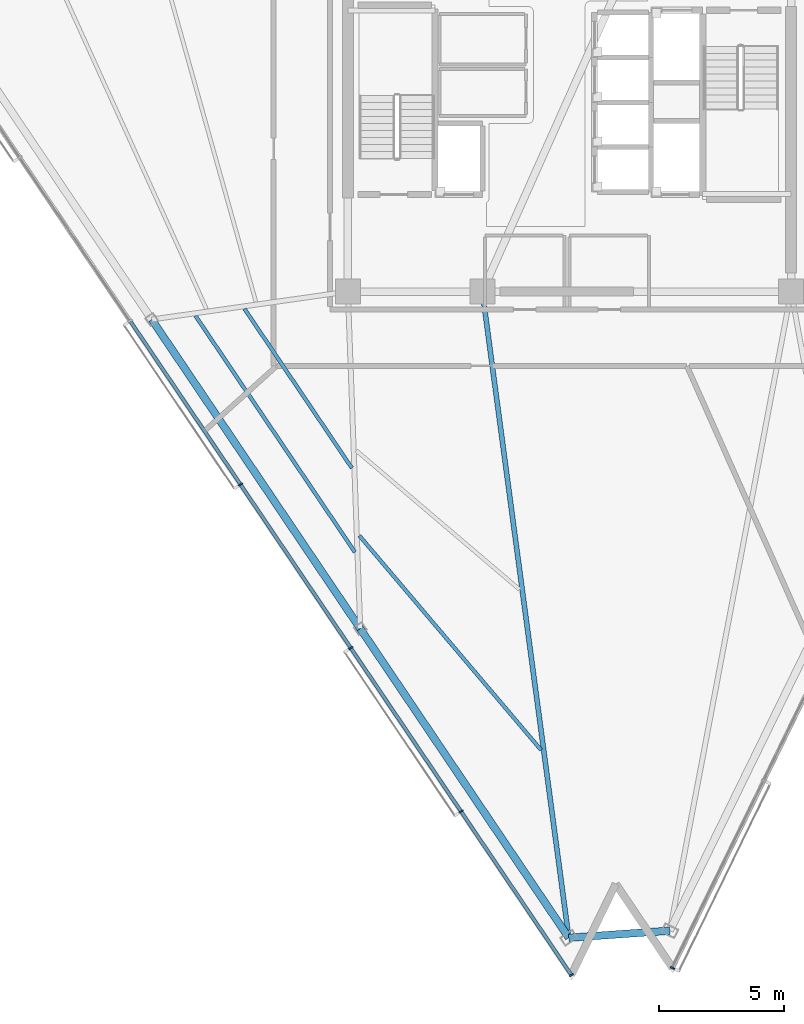
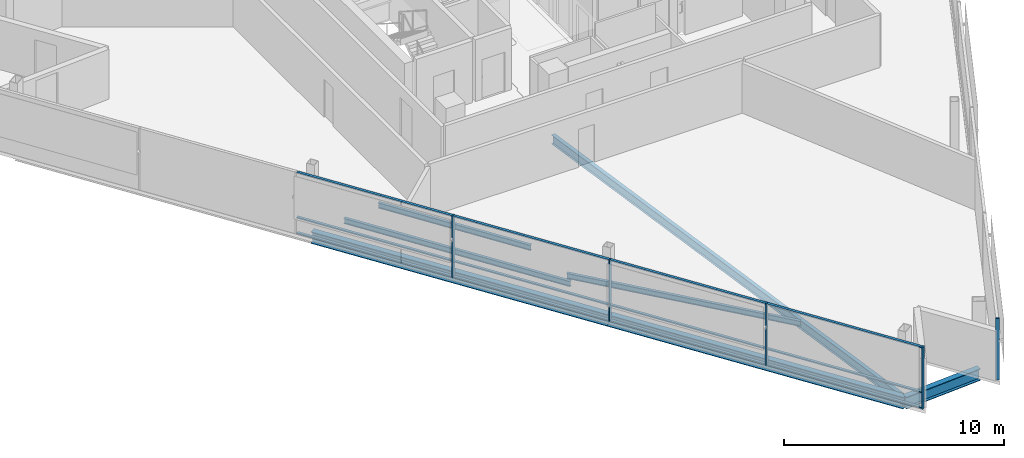
# One storey, part 2 of 16: 17 members, 7 beams, 2 elements without a shape of their own.
"""IFC4 building model written with IfcOpenShell, lengths in metres."""

from ifc_helpers import new_model, si_unit, direction, frame, origin, origin_2d, place, context, subcontext, project, spatial, rectangle, i_section, extrude, material, layer, layer_set, material_profile, profile_set, type_object, element, aggregate, save


model = new_model("IFC4")

# Units and contexts
model_context = context("Model", 3, precision=1e-05, world=origin(), true_north=direction((0.0, 1.0)))
body_context = subcontext(model_context, "Body", "Model", "MODEL_VIEW")
ifc_project = project(units=[si_unit("LENGTHUNIT", "METRE"), si_unit("AREAUNIT", "SQUARE_METRE"), si_unit("VOLUMEUNIT", "CUBIC_METRE"), si_unit("PLANEANGLEUNIT", "RADIAN"), si_unit("MASSUNIT", "GRAM", prefix="KILO")], contexts=[model_context])

# Site, building, storey
site_placement = place(None, origin())
site = spatial("IfcSite", under=ifc_project, at=site_placement, CompositionType="ELEMENT")
building_placement = place(site_placement, origin())
building = spatial("IfcBuilding", under=site, at=building_placement, Name="Tharavind Bronze Gate", CompositionType="ELEMENT")
storey_placement = place(building_placement, frame((0.0, 0.0, 271.39990234375)))
storey = spatial("IfcBuildingStorey", under=building, at=storey_placement, Name="L70", CompositionType="ELEMENT", Elevation=271.39990234375)

# Curtain wall, members
ifc_material_1 = material(Name="Anodised Bronze Aluminium", Category="aluminium")
ifc_layer = layer(ifc_material_1, 0.219970703125)
ifc_layer_set = layer_set([ifc_layer], Name="Anodised Bronze Aluminium")
curtain_wall_type = type_object("IfcCurtainWallType", Name="UNITISED CURTAIN WALL UPPER OFFICE", PredefinedType="USERDEFINED", material=ifc_layer_set)
curtain_wall_1_placement = place(storey_placement, origin())
curtain_wall_1 = element("IfcCurtainWall", 1, at=curtain_wall_1_placement, inside=storey, type_object=curtain_wall_type, Name="L70 unitised curtain wall upper office CW-L70-S1", ObjectType="UNITISED CURTAIN WALL", PredefinedType="USERDEFINED")
member_type_1 = type_object("IfcMemberType", Name="CURTAIN WALL BRONZE MULLION 65X180", PredefinedType="MULLION", material=ifc_material_1)
member_1_placement = place(storey_placement, frame((-13.211181640625, -15.3466796875, 0.000244140625), z_axis=(0.0, 0.0, 1.0), x_axis=(0.559191456526, -0.82903854853, 0.0)))
member_1 = element("IfcMember", 2, at=member_1_placement, type_object=member_type_1, Name="CW-L70-S1 mullion 4", PredefinedType="MULLION", context=body_context, shape_type="SweptSolid", body=[
    extrude(rectangle(XDim=0.06494140625, YDim=0.179931640625, at=origin_2d()), origin(), (0.0, 0.0, 1.0), 3.419921875),
])
member_2_placement = place(storey_placement, frame((-8.781982421875, -21.912841796875, 0.000244140625), z_axis=(0.0, 0.0, 1.0), x_axis=(0.559191456526, -0.82903854853, 0.0)))
member_2 = element("IfcMember", 3, at=member_2_placement, type_object=member_type_1, Name="CW-L70-S1 mullion 5", PredefinedType="MULLION", context=body_context, shape_type="SweptSolid", body=[
    extrude(rectangle(XDim=0.06494140625, YDim=0.179931640625, at=origin_2d()), origin(), (0.0, 0.0, 1.0), 3.419921875),
])
member_3_placement = place(storey_placement, frame((-4.35302734375, -28.47900390625, 0.000244140625), z_axis=(0.0, 0.0, 1.0), x_axis=(0.559191456526, -0.82903854853, 0.0)))
member_3 = element("IfcMember", 4, at=member_3_placement, type_object=member_type_1, Name="CW-L70-S1 mullion 6", PredefinedType="MULLION", context=body_context, shape_type="SweptSolid", body=[
    extrude(rectangle(XDim=0.06494140625, YDim=0.179931640625, at=origin_2d()), origin(), (0.0, 0.0, 1.0), 3.419921875),
])
member_4_placement = place(storey_placement, frame((0.075927734375, -35.04541015625, 0.000244140625), z_axis=(0.0, 0.0, 1.0), x_axis=(0.559191456526, -0.82903854853, 0.0)))
member_4 = element("IfcMember", 5, at=member_4_placement, type_object=member_type_1, Name="CW-L70-S1 mullion 7", PredefinedType="MULLION", context=body_context, shape_type="SweptSolid", body=[
    extrude(rectangle(XDim=0.06494140625, YDim=0.179931640625, at=origin_2d()), origin(), (0.0, 0.0, 1.0), 3.419921875),
])

# Curtain wall, member
curtain_wall_2_placement = place(storey_placement, origin())
curtain_wall_2 = element("IfcCurtainWall", 6, at=curtain_wall_2_placement, inside=storey, type_object=curtain_wall_type, Name="L70 unitised curtain wall upper office CW-L70-S2", ObjectType="UNITISED CURTAIN WALL", PredefinedType="USERDEFINED")
member_5_placement = place(storey_placement, frame((4.134033203125, -34.76171875, 0.000244140625), z_axis=(0.0, 0.0, 1.0), x_axis=(0.43837271548, 0.898793281196, 0.0)))
member_5 = element("IfcMember", 7, at=member_5_placement, type_object=member_type_1, Name="CW-L70-S2 mullion 1", PredefinedType="MULLION", context=body_context, shape_type="SweptSolid", body=[
    extrude(rectangle(XDim=0.06494140625, YDim=0.179931640625, at=origin_2d()), origin(), (0.0, 0.0, 1.0), 3.419921875),
])
aggregate(curtain_wall_2, [member_5])

# Member
member_type_2 = type_object("IfcMemberType", Name="CURTAIN WALL BRONZE TRANSOM 65X140", PredefinedType="USERDEFINED", material=ifc_material_1)
member_6_placement = place(storey_placement, frame((-15.425537109375, -12.0634765625, 0.000244140625), z_axis=(0.0, 0.0, 1.0), x_axis=(0.559191456526, -0.82903854853, 0.0)))
member_6 = element("IfcMember", 8, at=member_6_placement, type_object=member_type_2, Name="CW-L70-S1 transom TB3", ObjectType="TRANSOM", PredefinedType="USERDEFINED", context=body_context, shape_type="SweptSolid", body=[
    extrude(rectangle(XDim=7.8671875, YDim=0.139892578125, at=origin_2d()), origin(), (0.0, 0.0, 1.0), 0.06494140625),
])

member_7_placement = place(storey_placement, frame((-15.425537109375, -12.0634765625, 0.86767578125), z_axis=(0.0, 0.0, 1.0), x_axis=(0.559191456526, -0.82903854853, 0.0)))
member_7 = element("IfcMember", 9, at=member_7_placement, type_object=member_type_2, Name="CW-L70-S1 transom TS3", ObjectType="TRANSOM", PredefinedType="USERDEFINED", context=body_context, shape_type="SweptSolid", body=[
    extrude(rectangle(XDim=7.8671875, YDim=0.139892578125, at=origin_2d()), origin(), (0.0, 0.0, 1.0), 0.06494140625),
])

member_8_placement = place(storey_placement, frame((-15.425537109375, -12.0634765625, 3.355224609375), z_axis=(0.0, 0.0, 1.0), x_axis=(0.559191456526, -0.82903854853, 0.0)))
member_8 = element("IfcMember", 10, at=member_8_placement, type_object=member_type_2, Name="CW-L70-S1 transom TT3", ObjectType="TRANSOM", PredefinedType="USERDEFINED", context=body_context, shape_type="SweptSolid", body=[
    extrude(rectangle(XDim=7.8671875, YDim=0.139892578125, at=origin_2d()), origin(), (0.0, 0.0, 1.0), 0.06494140625),
])

member_9_placement = place(storey_placement, frame((-10.99658203125, -18.629638671875, 0.000244140625), z_axis=(0.0, 0.0, 1.0), x_axis=(0.559191456526, -0.82903854853, 0.0)))
member_9 = element("IfcMember", 11, at=member_9_placement, type_object=member_type_2, Name="CW-L70-S1 transom TB4", ObjectType="TRANSOM", PredefinedType="USERDEFINED", context=body_context, shape_type="SweptSolid", body=[
    extrude(rectangle(XDim=7.8671875, YDim=0.139892578125, at=origin_2d()), origin(), (0.0, 0.0, 1.0), 0.06494140625),
])

member_10_placement = place(storey_placement, frame((-10.99658203125, -18.629638671875, 0.86767578125), z_axis=(0.0, 0.0, 1.0), x_axis=(0.559191456526, -0.82903854853, 0.0)))
member_10 = element("IfcMember", 12, at=member_10_placement, type_object=member_type_2, Name="CW-L70-S1 transom TS4", ObjectType="TRANSOM", PredefinedType="USERDEFINED", context=body_context, shape_type="SweptSolid", body=[
    extrude(rectangle(XDim=7.8671875, YDim=0.139892578125, at=origin_2d()), origin(), (0.0, 0.0, 1.0), 0.06494140625),
])

member_11_placement = place(storey_placement, frame((-10.99658203125, -18.629638671875, 3.355224609375), z_axis=(0.0, 0.0, 1.0), x_axis=(0.559191456526, -0.82903854853, 0.0)))
member_11 = element("IfcMember", 13, at=member_11_placement, type_object=member_type_2, Name="CW-L70-S1 transom TT4", ObjectType="TRANSOM", PredefinedType="USERDEFINED", context=body_context, shape_type="SweptSolid", body=[
    extrude(rectangle(XDim=7.8671875, YDim=0.139892578125, at=origin_2d()), origin(), (0.0, 0.0, 1.0), 0.06494140625),
])

member_12_placement = place(storey_placement, frame((-6.567626953125, -25.196044921875, 0.000244140625), z_axis=(0.0, 0.0, 1.0), x_axis=(0.559191456526, -0.82903854853, 0.0)))
member_12 = element("IfcMember", 14, at=member_12_placement, type_object=member_type_2, Name="CW-L70-S1 transom TB5", ObjectType="TRANSOM", PredefinedType="USERDEFINED", context=body_context, shape_type="SweptSolid", body=[
    extrude(rectangle(XDim=7.8671875, YDim=0.139892578125, at=origin_2d()), origin(), (0.0, 0.0, 1.0), 0.06494140625),
])

member_13_placement = place(storey_placement, frame((-6.567626953125, -25.196044921875, 0.86767578125), z_axis=(0.0, 0.0, 1.0), x_axis=(0.559191456526, -0.82903854853, 0.0)))
member_13 = element("IfcMember", 15, at=member_13_placement, type_object=member_type_2, Name="CW-L70-S1 transom TS5", ObjectType="TRANSOM", PredefinedType="USERDEFINED", context=body_context, shape_type="SweptSolid", body=[
    extrude(rectangle(XDim=7.8671875, YDim=0.139892578125, at=origin_2d()), origin(), (0.0, 0.0, 1.0), 0.06494140625),
])

member_14_placement = place(storey_placement, frame((-6.567626953125, -25.196044921875, 3.355224609375), z_axis=(0.0, 0.0, 1.0), x_axis=(0.559191456526, -0.82903854853, 0.0)))
member_14 = element("IfcMember", 16, at=member_14_placement, type_object=member_type_2, Name="CW-L70-S1 transom TT5", ObjectType="TRANSOM", PredefinedType="USERDEFINED", context=body_context, shape_type="SweptSolid", body=[
    extrude(rectangle(XDim=7.8671875, YDim=0.139892578125, at=origin_2d()), origin(), (0.0, 0.0, 1.0), 0.06494140625),
])

member_15_placement = place(storey_placement, frame((-2.138671875, -31.76220703125, 0.000244140625), z_axis=(0.0, 0.0, 1.0), x_axis=(0.559191456526, -0.82903854853, 0.0)))
member_15 = element("IfcMember", 17, at=member_15_placement, type_object=member_type_2, Name="CW-L70-S1 transom TB6", ObjectType="TRANSOM", PredefinedType="USERDEFINED", context=body_context, shape_type="SweptSolid", body=[
    extrude(rectangle(XDim=7.8671875, YDim=0.139892578125, at=origin_2d()), origin(), (0.0, 0.0, 1.0), 0.06494140625),
])

member_16_placement = place(storey_placement, frame((-2.138671875, -31.76220703125, 0.86767578125), z_axis=(0.0, 0.0, 1.0), x_axis=(0.559191456526, -0.82903854853, 0.0)))
member_16 = element("IfcMember", 18, at=member_16_placement, type_object=member_type_2, Name="CW-L70-S1 transom TS6", ObjectType="TRANSOM", PredefinedType="USERDEFINED", context=body_context, shape_type="SweptSolid", body=[
    extrude(rectangle(XDim=7.8671875, YDim=0.139892578125, at=origin_2d()), origin(), (0.0, 0.0, 1.0), 0.06494140625),
])

member_17_placement = place(storey_placement, frame((-2.138671875, -31.76220703125, 3.355224609375), z_axis=(0.0, 0.0, 1.0), x_axis=(0.559191456526, -0.82903854853, 0.0)))
member_17 = element("IfcMember", 19, at=member_17_placement, type_object=member_type_2, Name="CW-L70-S1 transom TT6", ObjectType="TRANSOM", PredefinedType="USERDEFINED", context=body_context, shape_type="SweptSolid", body=[
    extrude(rectangle(XDim=7.8671875, YDim=0.139892578125, at=origin_2d()), origin(), (0.0, 0.0, 1.0), 0.06494140625),
])

aggregate(curtain_wall_1, [member_1, member_2, member_3, member_4, member_6, member_7, member_8, member_9, member_10, member_11, member_12, member_13, member_14, member_15, member_16, member_17])

# Beams
ifc_material_2 = material(Name="Steel S355", Category="steel")
ifc_material_profile_1 = material_profile(ifc_material_2, i_section(OverallWidth=0.300048828125, OverallDepth=0.64990234375, WebThickness=0.01611328125, FlangeThickness=0.031005859375, at=origin_2d()), Name="HE650B")
ifc_profile_set_1 = profile_set([ifc_material_profile_1], Name="Steel S355")
beam_type_1 = type_object("IfcBeamType", Name="PRIMARY GIRDER HE650B", PredefinedType="USERDEFINED", material=ifc_profile_set_1)
for number, where, z_axis, x_axis, name in (
    (20, (-16.776123046875, -8.719970703125, -0.5048828125), (0.559195614283, -0.829035744083, 0.0), (0.829035744083, 0.559195614283, 0.0), "L70 primary girder he650b BM-L70-PRG02"),
    (21, (-8.40234375, -21.134521484375, -0.5048828125), (0.559184408692, -0.829043302292, 0.0), (0.829043302292, 0.559184408692, 0.0), "L70 primary girder he650b BM-L70-PRG03"),
):
    element("IfcBeam", number, at=place(storey_placement, frame(where, z_axis=z_axis, x_axis=x_axis)), inside=storey, type_object=beam_type_1, Name=name, ObjectType="GIRDER", PredefinedType="USERDEFINED", context=body_context, shape_type="SweptSolid", body=[
        extrude(i_section(OverallWidth=0.300048828125, OverallDepth=0.64990234375, WebThickness=0.01611328125, FlangeThickness=0.031005859375, at=origin_2d()), origin(), (0.0, 0.0, 1.0), 14.974609375),
    ])
beam_1_placement = place(storey_placement, frame((-0.02880859375, -33.549072265625, -0.5048828125), z_axis=(0.997561224107, 0.069796877851, 0.0), x_axis=(-0.069796877851, 0.997561224107, 0.0)))
element("IfcBeam", 22, at=beam_1_placement, inside=storey, type_object=beam_type_1, Name="L70 primary girder he650b BM-L70-PRG04", ObjectType="GIRDER", PredefinedType="USERDEFINED", context=body_context, shape_type="SweptSolid", body=[
    extrude(i_section(OverallWidth=0.300048828125, OverallDepth=0.64990234375, WebThickness=0.01611328125, FlangeThickness=0.031005859375, at=origin_2d()), origin(), (0.0, 0.0, 1.0), 4.068115234375),
])
ifc_material_profile_2 = material_profile(ifc_material_2, i_section(OverallWidth=0.199951171875, OverallDepth=0.5, WebThickness=0.01025390625, FlangeThickness=0.01611328125, at=origin_2d()), Name="IPE500")
ifc_profile_set_2 = profile_set([ifc_material_profile_2], Name="Steel S355")
beam_type_2 = type_object("IfcBeamType", Name="PRIMARY GIRDER IPE500", PredefinedType="USERDEFINED", material=ifc_profile_set_2)
beam_2_placement = place(storey_placement, frame((-0.02880859375, -33.549072265625, -0.429931640625), z_axis=(-0.132588849442, 0.991171123976, 0.0), x_axis=(-0.991171123976, -0.132588849442, 0.0)))
element("IfcBeam", 23, at=beam_2_placement, inside=storey, type_object=beam_type_2, Name="L70 primary girder ipe500 BM-L70-RAD04", ObjectType="GIRDER", PredefinedType="USERDEFINED", context=body_context, shape_type="SweptSolid", body=[
    extrude(i_section(OverallWidth=0.199951171875, OverallDepth=0.5, WebThickness=0.01025390625, FlangeThickness=0.01611328125, at=origin_2d()), origin(), (0.0, 0.0, 1.0), 26.18017578125),
])
ifc_material_profile_3 = material_profile(ifc_material_2, i_section(OverallWidth=0.14990234375, OverallDepth=0.300048828125, WebThickness=0.007080078125, FlangeThickness=0.0107421875, at=origin_2d()), Name="IPE300")
ifc_profile_set_3 = profile_set([ifc_material_profile_3], Name="Steel S355")
beam_type_3 = type_object("IfcBeamType", Name="SECONDARY FLOOR JOIST IPE300", PredefinedType="JOIST", material=ifc_profile_set_3)
beam_3_placement = place(storey_placement, frame((-13.04931640625, -8.294677734375, -0.329833984375), z_axis=(0.559190305192, -0.82903932511, 0.0), x_axis=(0.82903932511, 0.559190305192, 0.0)))
element("IfcBeam", 24, at=beam_3_placement, inside=storey, type_object=beam_type_3, Name="L70 secondary floor joist ipe300 BM-L70-JSTA02", PredefinedType="JOIST", context=body_context, shape_type="SweptSolid", body=[
    extrude(i_section(OverallWidth=0.14990234375, OverallDepth=0.300048828125, WebThickness=0.007080078125, FlangeThickness=0.0107421875, at=origin_2d()), origin(), (0.0, 0.0, 1.0), 7.702880859375),
])
beam_4_placement = place(storey_placement, frame((-15.018310546875, -8.57470703125, -0.329833984375), z_axis=(0.559200650342, -0.829032347172, 0.0), x_axis=(0.829032347172, 0.559200650342, 0.0)))
element("IfcBeam", 25, at=beam_4_placement, inside=storey, type_object=beam_type_3, Name="L70 secondary floor joist ipe300 BM-L70-JSTB02", PredefinedType="JOIST", context=body_context, shape_type="SweptSolid", body=[
    extrude(i_section(OverallWidth=0.14990234375, OverallDepth=0.300048828125, WebThickness=0.007080078125, FlangeThickness=0.0107421875, at=origin_2d()), origin(), (0.0, 0.0, 1.0), 11.446533203125),
])
beam_5_placement = place(storey_placement, frame((-8.43701171875, -17.403564453125, -0.329833984375), z_axis=(0.646710156103, -0.762735848111, 0.0), x_axis=(0.762735848111, 0.646710156103, 0.0)))
element("IfcBeam", 26, at=beam_5_placement, inside=storey, type_object=beam_type_3, Name="L70 secondary floor joist ipe300 BM-L70-JSTB03", PredefinedType="JOIST", context=body_context, shape_type="SweptSolid", body=[
    extrude(i_section(OverallWidth=0.14990234375, OverallDepth=0.300048828125, WebThickness=0.007080078125, FlangeThickness=0.0107421875, at=origin_2d()), origin(), (0.0, 0.0, 1.0), 11.28271484375),
])

save(model, "model.ifc")
